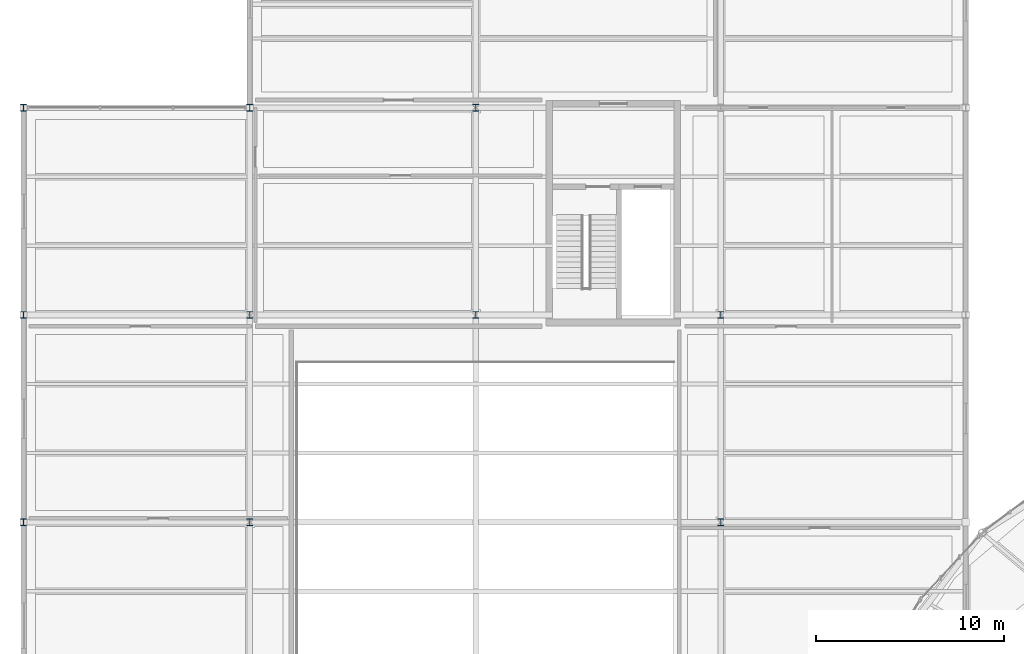
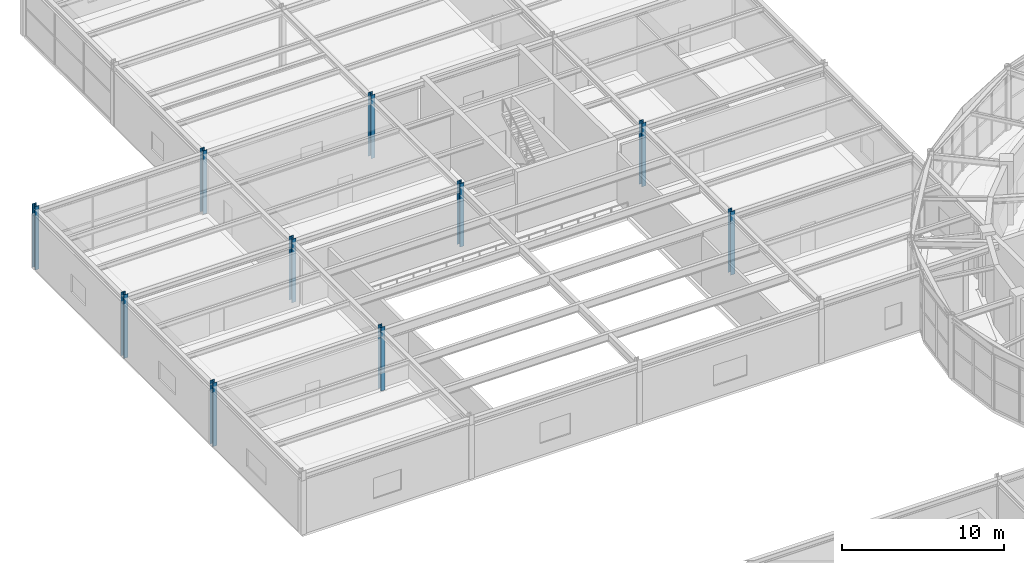
# One storey, part 8 of 100: 10 columns.
"""IFC4 building model written with IfcOpenShell, lengths in metres."""

import ifcopenshell
import ifcopenshell.guid

model = None  # the IFC model being written
_history = None  # IfcOwnerHistory: only IFC2X3 demands one
_inside = {}  # id of a spatial element -> (the spatial element, [elements in it])
_under = {}  # id of a project, library or spatial element -> (it, [spatial elements below it])
_declared = {}  # id of a project -> (the project, [libraries it declares])
_typed = {}  # id of a type object -> (the type object, [elements of that type])
_made_of = {}  # id of a material, layer set ... -> (it, [elements and type objects made of it])


def new_model(schema):
    """Start an empty IFC model of exactly this schema.

    Asked for "IFC4X3", IfcOpenShell would pick the latest addendum, in which some entities
    have other attributes; the version numbers below select the first issue.
    IFC2X3 requires an IfcOwnerHistory on every rooted entity: one is made here for all.
    """
    global model, _history
    if schema == "IFC4X3":
        model = ifcopenshell.file(schema_version=(4, 3, 0, 0))
    else:
        model = ifcopenshell.file(schema=schema)
    _inside.clear()
    _under.clear()
    _declared.clear()
    _typed.clear()
    _made_of.clear()
    _history = None
    if model.schema == "IFC2X3":
        org = make("IfcOrganization", Name="unknown")
        user = make(
            "IfcPersonAndOrganization",
            ThePerson=make("IfcPerson", FamilyName="unknown"),
            TheOrganization=org,
        )
        app = make(
            "IfcApplication",
            ApplicationDeveloper=org,
            Version="unknown",
            ApplicationFullName="unknown",
            ApplicationIdentifier="unknown",
        )
        _history = make(
            "IfcOwnerHistory",
            OwningUser=user,
            OwningApplication=app,
            ChangeAction="ADDED",
            CreationDate=0,
        )
    return model


def make(cls, **values):
    """One entity of the class cls with the attributes given. An attribute that is None is left unset."""
    return model.create_entity(
        cls, **{name: value for name, value in values.items() if value is not None}
    )


def rooted(cls, **values):
    """An entity with a GlobalId (a new one), such as an element, a storey or a relation."""
    return make(cls, GlobalId=ifcopenshell.guid.new(), OwnerHistory=_history, **values)


def si_unit(unit_type, name, prefix=None):
    """IfcSIUnit, for example si_unit("LENGTHUNIT", "METRE", prefix="MILLI")."""
    return make("IfcSIUnit", UnitType=unit_type, Prefix=prefix, Name=name)


def assignment(units):
    """IfcUnitAssignment: the units of a project."""
    return None if units is None else make("IfcUnitAssignment", Units=units)


def point(xyz):
    """IfcCartesianPoint."""
    return None if xyz is None else make("IfcCartesianPoint", Coordinates=xyz)


def direction(xyz):
    """IfcDirection."""
    return None if xyz is None else make("IfcDirection", DirectionRatios=xyz)


def frame(location, z_axis=None, x_axis=None):
    """IfcAxis2Placement3D, a coordinate frame: its origin and axes. An axis left out is left unset."""
    return make(
        "IfcAxis2Placement3D",
        Location=point(location),
        Axis=direction(z_axis),
        RefDirection=direction(x_axis),
    )


def frame_2d(location, x_axis=None):
    """IfcAxis2Placement2D, a coordinate frame in the plane: its origin and x axis."""
    return make(
        "IfcAxis2Placement2D", Location=point(location), RefDirection=direction(x_axis)
    )


def origin():
    """The frame at (0, 0, 0) with its axes left unset."""
    return frame((0.0, 0.0, 0.0))


def origin_2d():
    """The frame at (0, 0) in the plane with its x axis left unset."""
    return frame_2d((0.0, 0.0))


def place(relative_to, where):
    """IfcLocalPlacement: puts the frame where relative to a parent placement (None: the world)."""
    return make(
        "IfcLocalPlacement", PlacementRelTo=relative_to, RelativePlacement=where
    )


def context(
    kind, dimensions, precision=None, world=None, true_north=None, identifier=None
):
    """IfcGeometricRepresentationContext, for example the 3D "Model" context."""
    return make(
        "IfcGeometricRepresentationContext",
        ContextIdentifier=identifier,
        ContextType=kind,
        CoordinateSpaceDimension=dimensions,
        Precision=precision,
        WorldCoordinateSystem=world,
        TrueNorth=true_north,
    )


def subcontext(parent, identifier, kind, view, scale=None):
    """IfcGeometricRepresentationSubContext, for example "Body" below "Model"."""
    return make(
        "IfcGeometricRepresentationSubContext",
        ContextIdentifier=identifier,
        ContextType=kind,
        ParentContext=parent,
        TargetScale=scale,
        TargetView=view,
    )


def project(units=None, contexts=None):
    """IfcProject with its units and contexts."""
    return rooted(
        "IfcProject",
        Name="project",
        RepresentationContexts=contexts,
        UnitsInContext=assignment(units),
    )


def spatial(cls, under=None, at=None, **own):
    """A site, building, storey or space (cls), placed at a placement, below another one or the project."""
    s = rooted(cls, ObjectPlacement=at, **own)
    if under is not None:
        _under.setdefault(under.id(), (under, []))[1].append(s)
    return s


def profile(cls, at=None, kind="AREA", **sizes):
    """A parametric profile (cls). Its sizes go by their IFC names, for example OverallWidth=200.0."""
    return make(cls, ProfileType=kind, Position=at, **sizes)


def i_section(**sizes):
    """IfcIShapeProfileDef."""
    return profile("IfcIShapeProfileDef", **sizes)


def extrude(swept, where, along, depth):
    """IfcExtrudedAreaSolid: the profile swept, set in the frame where, extruded along a direction by depth."""
    return make(
        "IfcExtrudedAreaSolid",
        SweptArea=swept,
        Position=where,
        ExtrudedDirection=direction(along),
        Depth=depth,
    )


def shape(context_of_items, identifier, shape_type, items):
    """IfcShapeRepresentation: the items that make up one representation, for example the "Body"."""
    return make(
        "IfcShapeRepresentation",
        ContextOfItems=context_of_items,
        RepresentationIdentifier=identifier,
        RepresentationType=shape_type,
        Items=items,
    )


def material(Name=None, Category=None):
    """IfcMaterial."""
    return make("IfcMaterial", Name=Name, Category=Category)


def material_profile(
    of_material, cross_section, Name=None, Category=None, Priority=None
):
    """IfcMaterialProfile: a cross section and its material."""
    return make(
        "IfcMaterialProfile",
        Name=Name,
        Material=of_material,
        Profile=cross_section,
        Priority=Priority,
        Category=Category,
    )


def profile_set(profiles, Name=None, composite=None):
    """IfcMaterialProfileSet."""
    return make(
        "IfcMaterialProfileSet",
        Name=Name,
        MaterialProfiles=profiles,
        CompositeProfile=composite,
    )


def made_of(thing, what):
    """Note that an element or type object is made of a material, layer set ...; save() writes the relation."""
    if what is not None:
        _made_of.setdefault(what.id(), (what, []))[1].append(thing)
    return thing


def type_object(cls, material=None, **own):
    """A type object (cls), such as IfcWallType, which elements share."""
    return made_of(rooted(cls, **own), material)


def element(
    cls,
    number,
    at=None,
    inside=None,
    cuts=None,
    type_object=None,
    material=None,
    context=None,
    identifier="Body",
    shape_type=None,
    held_by="IfcProductDefinitionShape",
    body=None,
    shapes=None,
    **own,
):
    """One element of the class cls, such as IfcWall. Its Tag is "e" and its number.

    at: its placement. inside: the storey or other place that contains it. cuts: it is an
    opening in that element (IfcRelVoidsElement). A single representation is given by context,
    identifier, shape_type and body (its items); several are given by shapes. held_by: the class
    of the entity that holds the representations. save() writes the other relations.
    """
    e = rooted(cls, Tag="e%d" % number, ObjectPlacement=at, **own)
    if body is not None:
        shapes = [shape(context, identifier, shape_type, body)]
    if shapes is not None:
        e.Representation = make(held_by, Representations=shapes)
    if inside is not None:
        _inside.setdefault(inside.id(), (inside, []))[1].append(e)
    if cuts is not None:
        rooted(
            "IfcRelVoidsElement", RelatingBuildingElement=cuts, RelatedOpeningElement=e
        )
    if type_object is not None:
        _typed.setdefault(type_object.id(), (type_object, []))[1].append(e)
    return made_of(e, material)


def aggregate(whole, parts):
    """IfcRelAggregates: a whole, such as a stair, and the parts it consists of."""
    return rooted("IfcRelAggregates", RelatingObject=whole, RelatedObjects=parts)


def save(model, path):
    """Write the relations noted so far, then the file.

    IfcRelAggregates (storeys below a building ...), IfcRelContainedInSpatialStructure (elements
    in a storey), IfcRelDefinesByType, IfcRelAssociatesMaterial and IfcRelDeclares: one each for
    every whole, place, type object, material and project.
    """
    for whole, parts in _under.values():
        aggregate(whole, parts)
    for where, things in _inside.values():
        rooted(
            "IfcRelContainedInSpatialStructure",
            RelatedElements=things,
            RelatingStructure=where,
        )
    for kind, things in _typed.values():
        rooted("IfcRelDefinesByType", RelatedObjects=things, RelatingType=kind)
    for what, things in _made_of.values():
        rooted("IfcRelAssociatesMaterial", RelatedObjects=things, RelatingMaterial=what)
    for by, libraries in _declared.values():
        rooted("IfcRelDeclares", RelatingContext=by, RelatedDefinitions=libraries)
    model.write(path)


model = new_model("IFC4")

# Units and contexts
model_context = context("Model", 3, precision=1e-05, world=origin(), true_north=direction((0.0, 1.0)))
body_context = subcontext(model_context, "Body", "Model", "MODEL_VIEW")
ifc_project = project(units=[si_unit("LENGTHUNIT", "METRE"), si_unit("AREAUNIT", "SQUARE_METRE"), si_unit("VOLUMEUNIT", "CUBIC_METRE"), si_unit("PLANEANGLEUNIT", "RADIAN"), si_unit("MASSUNIT", "GRAM", prefix="KILO")], contexts=[model_context])

# Site, building, storey
site_placement = place(None, origin())
site = spatial("IfcSite", under=ifc_project, at=site_placement, CompositionType="ELEMENT")
building_placement = place(site_placement, origin())
building = spatial("IfcBuilding", under=site, at=building_placement, Name="Tarnveldt Headland Concert Hall", CompositionType="ELEMENT")
storey_placement = place(building_placement, frame((0.0, 0.0, 4.800048828125)))
storey = spatial("IfcBuildingStorey", under=building, at=storey_placement, Name="L01", CompositionType="ELEMENT", Elevation=4.800048828125)

# Columns
ifc_material = material(Name="Steel S355", Category="steel")
ifc_material_profile = material_profile(ifc_material, i_section(OverallWidth=0.300048828125, OverallDepth=0.360107421875, WebThickness=0.012451171875, FlangeThickness=0.0224609375, FilletRadius=0.027099609375, at=origin_2d()), Name="HEB360", Category="steel")
ifc_profile_set = profile_set([ifc_material_profile], Name="Steel S355")
column_type = type_object("IfcColumnType", Name="SC-HEB360", PredefinedType="COLUMN", material=ifc_profile_set)
for number, where, z_axis, x_axis, name in (
    (1, (7.5, 71.0, 0.0), (0.0, 0.0, 1.0), (1.0, 0.0, 0.0), "Column V5C02 L01"),
    (2, (7.5, 82.0, 0.0), (0.0, 0.0, 1.0), (1.0, 0.0, 0.0), "Column V5C03 L01"),
    (3, (7.5, 93.0, 0.0), (0.0, 0.0, 1.0), (1.0, 0.0, 0.0), "Column V5C04 L01"),
    (4, (19.5, 71.0, 0.0), (0.0, 0.0, 1.0), (1.0, 0.0, 0.0), "Column V5C06 L01"),
    (5, (19.5, 82.0, 0.0), (0.0, 0.0, 1.0), (1.0, 0.0, 0.0), "Column V5C07 L01"),
    (6, (19.5, 93.0, 0.0), (0.0, 0.0, 1.0), (1.0, 0.0, 0.0), "Column V5C08 L01"),
    (7, (31.5, 82.0, 0.0), (0.0, 0.0, 1.0), (1.0, 0.0, 0.0), "Column V5C12 L01"),
    (8, (31.5, 93.0, 0.0), (0.0, 0.0, 1.0), (1.0, 0.0, 0.0), "Column V5C13 L01"),
    (9, (44.5, 71.0, 0.0), (0.0, 0.0, 1.0), (1.0, 0.0, 0.0), "Column V5C17 L01"),
    (10, (44.5, 82.0, 0.0), (0.0, 0.0, 1.0), (1.0, 0.0, 0.0), "Column V5C18 L01"),
):
    element("IfcColumn", number, at=place(storey_placement, frame(where, z_axis=z_axis, x_axis=x_axis)), inside=storey, type_object=column_type, Name=name, PredefinedType="COLUMN", context=body_context, shape_type="SweptSolid", body=[
        extrude(i_section(OverallWidth=0.300048828125, OverallDepth=0.360107421875, WebThickness=0.012451171875, FlangeThickness=0.0224609375, FilletRadius=0.027099609375, at=origin_2d()), origin(), (0.0, 0.0, 1.0), 4.800048828125),
    ])

save(model, "model.ifc")
